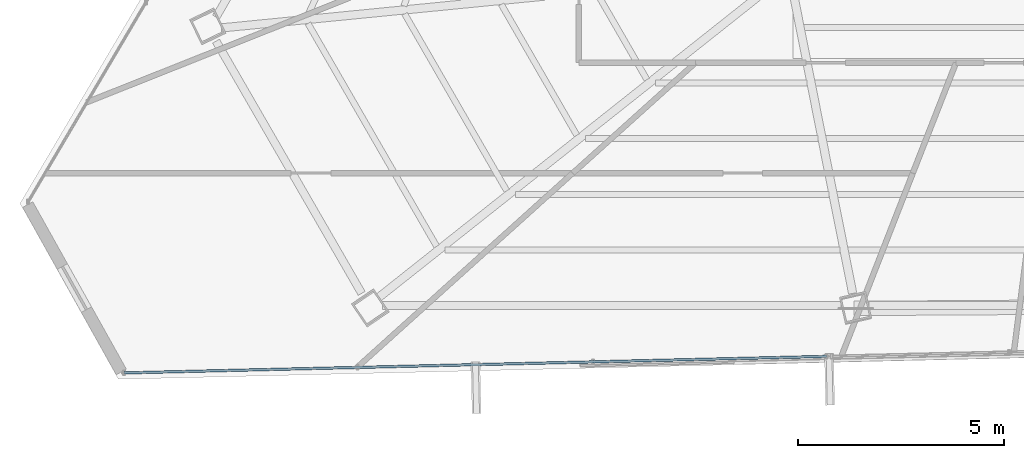
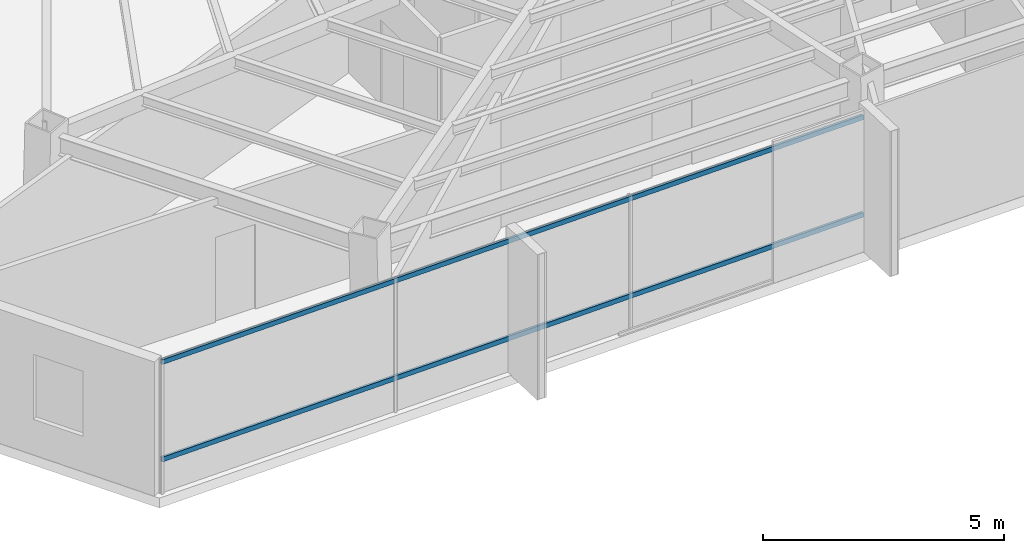
# One storey, part 4 of 46: 2 members, 1 element without a shape of its own.
"""IFC4 building model written with IfcOpenShell, lengths in metres."""

from ifc_helpers import new_model, si_unit, direction, frame, origin, origin_2d, place, context, subcontext, project, spatial, hollow_rectangle, extrude, source, transform, mapped, material, material_profile, profile_set, type_object, type_shapes, element, aggregate, save


model = new_model("IFC4")

# Units and contexts
model_context = context("Model", 3, precision=1e-05, world=origin(), true_north=direction((0.0, 1.0)))
body_context = subcontext(model_context, "Body", "Model", "MODEL_VIEW")
ifc_project = project(units=[si_unit("LENGTHUNIT", "METRE"), si_unit("AREAUNIT", "SQUARE_METRE"), si_unit("VOLUMEUNIT", "CUBIC_METRE"), si_unit("PLANEANGLEUNIT", "RADIAN"), si_unit("MASSUNIT", "GRAM", prefix="KILO")], contexts=[model_context])

# Site, building, storey
site_placement = place(None, origin())
site = spatial("IfcSite", under=ifc_project, at=site_placement, CompositionType="ELEMENT")
building_placement = place(site_placement, origin())
building = spatial("IfcBuilding", under=site, at=building_placement, Name="Caelisora Broadcast Tower", CompositionType="ELEMENT")
storey_placement = place(building_placement, frame((0.0, 0.0, 251.75)))
storey = spatial("IfcBuildingStorey", under=building, at=storey_placement, Name="L66", CompositionType="ELEMENT", Elevation=251.75)

# Curtain wall, members
ifc_material_1 = material(Name="Unitised Aluminium and Low-E Glass Curtain Wall", Category="glass")
curtain_wall_type = type_object("IfcCurtainWallType", Name="CW-Z5", PredefinedType="NOTDEFINED", material=ifc_material_1)
curtain_wall_placement = place(storey_placement, origin())
curtain_wall = element("IfcCurtainWall", 1, at=curtain_wall_placement, inside=storey, type_object=curtain_wall_type, Name="L66 curtain wall CW-Z5", PredefinedType="NOTDEFINED")
ifc_material_2 = material(Name="Aluminium 6063-T6 Anodised Terracotta Bronze", Category="aluminium")
ifc_material_profile = material_profile(ifc_material_2, hollow_rectangle(XDim=0.06005859375, YDim=0.1201171875, WallThickness=0.0029296875, at=origin_2d()), Name="Aluminium 6063-T6 Anodised Terracotta Bronze")
ifc_profile_set = profile_set([ifc_material_profile], Name="Aluminium 6063-T6 Anodised Terracotta Bronze")
member_type = type_object("IfcMemberType", Name="CWT-03", PredefinedType="USERDEFINED", material=ifc_profile_set)
shared_shape = source(origin(), body_context, "Body", "SweptSolid", [
    extrude(hollow_rectangle(XDim=0.06005859375, YDim=0.1201171875, WallThickness=0.0029296875, at=origin_2d()), origin(), (0.0, 0.0, 1.0), 17.05419921875),
])
type_shapes(member_type, [shared_shape])
member_1_placement = place(storey_placement, frame((31.41357421875, 8.07568359375, 0.85009765625), z_axis=(-0.999723020969, -0.023534683847, 0.0), x_axis=(0.023534683847, -0.999723020969, 0.0)))
member_1 = element("IfcMember", 2, at=member_1_placement, type_object=member_type, Name="L66-CW-B07 transom #1", ObjectType="TRANSOM", PredefinedType="USERDEFINED", context=body_context, shape_type="MappedRepresentation", body=[
    mapped(shared_shape, transform((0.0, 0.0, 0.0), scale=1.0)),
])
member_2_placement = place(storey_placement, frame((31.41357421875, 8.07568359375, 3.320068359375), z_axis=(-0.999723020969, -0.023534683847, 0.0), x_axis=(0.023534683847, -0.999723020969, 0.0)))
member_2 = element("IfcMember", 3, at=member_2_placement, type_object=member_type, Name="L66-CW-B07 transom #2", ObjectType="TRANSOM", PredefinedType="USERDEFINED", context=body_context, shape_type="MappedRepresentation", body=[
    mapped(shared_shape, transform((0.0, 0.0, 0.0), scale=1.0)),
])
aggregate(curtain_wall, [member_1, member_2])

save(model, "model.ifc")
